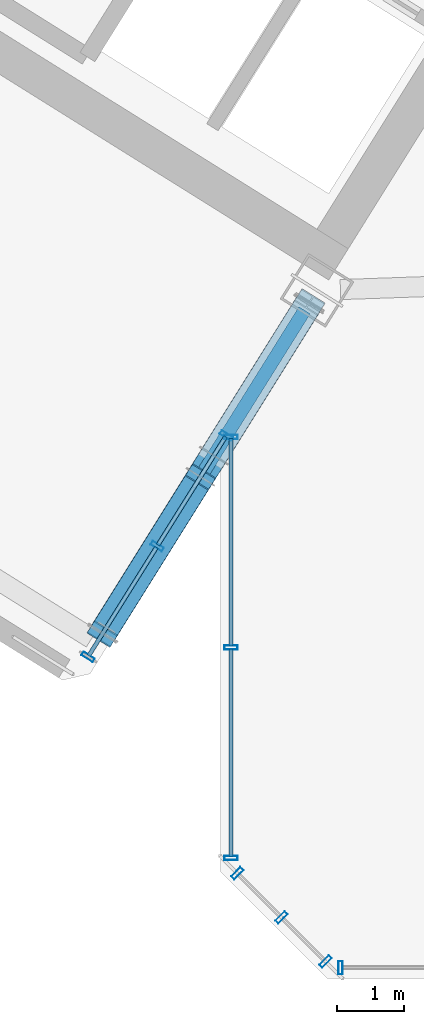
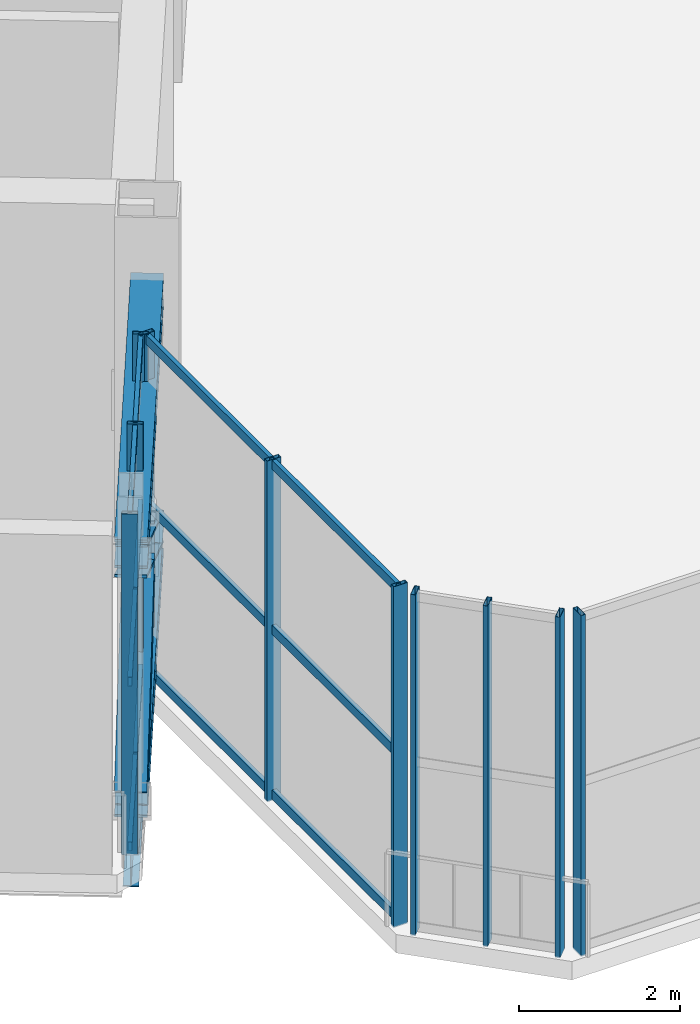
# One storey, part 6 of 30: 26 members, 1 beam, 4 elements without a shape of their own.
"""IFC4 building model written with IfcOpenShell, lengths in metres."""

from ifc_helpers import new_model, si_unit, direction, frame, origin, origin_2d, place, context, subcontext, project, spatial, hollow_rectangle, i_section, extrude, source, transform, mapped, material, material_profile, profile_set, type_object, element, aggregate, save


model = new_model("IFC4")

# Units and contexts
model_context = context("Model", 3, precision=1e-05, world=origin(), true_north=direction((0.0, 1.0)))
body_context = subcontext(model_context, "Body", "Model", "MODEL_VIEW")
ifc_project = project(units=[si_unit("LENGTHUNIT", "METRE"), si_unit("AREAUNIT", "SQUARE_METRE"), si_unit("VOLUMEUNIT", "CUBIC_METRE"), si_unit("PLANEANGLEUNIT", "RADIAN"), si_unit("MASSUNIT", "GRAM", prefix="KILO")], contexts=[model_context])

# Site, building, storey
site_placement = place(None, origin())
site = spatial("IfcSite", under=ifc_project, at=site_placement, CompositionType="ELEMENT")
building_placement = place(site_placement, origin())
building = spatial("IfcBuilding", under=site, at=building_placement, Name="Tlacorven Tower", CompositionType="ELEMENT")
storey_placement = place(building_placement, frame((0.0, 0.0, 169.5)))
storey = spatial("IfcBuildingStorey", under=building, at=storey_placement, Name="L43", CompositionType="ELEMENT", Elevation=169.5)

# Members
ifc_material_1 = material(Name="Steel S460M", Category="steel")
ifc_material_profile_1 = material_profile(ifc_material_1, i_section(OverallWidth=0.406005859375, OverallDepth=0.416015625, WebThickness=0.02099609375, FlangeThickness=0.032958984375, at=origin_2d()), Name="HD 400X382")
ifc_profile_set_1 = profile_set([ifc_material_profile_1], Name="Steel S460M")
member_type_1 = type_object("IfcMemberType", Name="MB-OUT-DIA", PredefinedType="BRACE", material=ifc_profile_set_1)
shared_shape_1 = source(origin(), body_context, "Body", "SweptSolid", [
    extrude(i_section(OverallWidth=0.406005859375, OverallDepth=0.416015625, WebThickness=0.02099609375, FlangeThickness=0.032958984375, at=origin_2d()), origin(), (0.0, 0.0, 1.0), 6.8564453125),
])
member_1_placement = place(storey_placement, frame((32.9375, 11.9130859375, 0.574951171875), z_axis=(-0.452468574589, -0.72408502906, 0.520550727309), x_axis=(0.848042816098, -0.529927713999, 0.0)))
element("IfcMember", 1, at=member_1_placement, inside=storey, type_object=member_type_1, Name="L43 Outrigger Truss Diagonal W1-1", PredefinedType="BRACE", context=body_context, shape_type="MappedRepresentation", body=[
    mapped(shared_shape_1, transform((0.0, 0.0, 0.0), scale=1.0)),
])
shared_shape_2 = source(origin(), body_context, "Body", "SweptSolid", [
    extrude(i_section(OverallWidth=0.406005859375, OverallDepth=0.416015625, WebThickness=0.02099609375, FlangeThickness=0.032958984375, at=origin_2d()), origin(), (0.0, 0.0, 1.0), 3.245849609375),
])
member_2_placement = place(storey_placement, frame((31.303955078125, 9.298583984375, 2.2255859375), z_axis=(-0.45250689492, -0.724041118766, -0.520578493972), x_axis=(0.848008202239, -0.5299831025, 0.0)))
element("IfcMember", 2, at=member_2_placement, inside=storey, type_object=member_type_1, Name="L43 Outrigger Truss Split Diagonal W1-2B", PredefinedType="BRACE", context=body_context, shape_type="MappedRepresentation", body=[
    mapped(shared_shape_2, transform((0.0, 0.0, 0.0), scale=1.0)),
])
ifc_material_profile_2 = material_profile(ifc_material_1, i_section(OverallWidth=0.412109375, OverallDepth=0.43505859375, WebThickness=0.02490234375, FlangeThickness=0.0400390625, at=origin_2d()), Name="HD 400X463")
ifc_profile_set_2 = profile_set([ifc_material_profile_2], Name="Steel S460M")
member_type_2 = type_object("IfcMemberType", Name="MB-OUT-CHD", PredefinedType="CHORD", material=ifc_profile_set_2)
shared_shape_3 = source(origin(), body_context, "Body", "SweptSolid", [
    extrude(i_section(OverallWidth=0.412109375, OverallDepth=0.43505859375, WebThickness=0.02490234375, FlangeThickness=0.0400390625, at=origin_2d()), origin(), (0.0, 0.0, 1.0), 5.794921875),
])
for number, where, z_axis, x_axis, name in (
    (3, (32.9189453125, 11.88330078125, 0.449951171875), (-0.529919410139, -0.848048004984, 0.0), (0.848048004984, -0.529919410139, 0.0), "L43 Outrigger Truss Chord W1-B"),
    (4, (32.9189453125, 11.88330078125, 4.22998046875), (-0.529919410139, -0.848048004984, 0.0), (0.848048004984, -0.529919410139, 0.0), "L43 Outrigger Truss Chord W1-T"),
):
    element("IfcMember", number, at=place(storey_placement, frame(where, z_axis=z_axis, x_axis=x_axis)), inside=storey, type_object=member_type_2, Name=name, PredefinedType="CHORD", context=body_context, shape_type="MappedRepresentation", body=[
        mapped(shared_shape_3, transform((0.0, 0.0, 0.0), scale=1.0)),
    ])

# Beam
ifc_material_2 = material(Name="Steel S355J2", Category="steel")
ifc_material_profile_3 = material_profile(ifc_material_2, i_section(OverallWidth=0.199951171875, OverallDepth=0.5, WebThickness=0.01025390625, FlangeThickness=0.01611328125, at=origin_2d()), Name="IPE 500")
ifc_profile_set_3 = profile_set([ifc_material_profile_3], Name="Steel S355J2")
beam_type = type_object("IfcBeamType", Name="BM-TWR-500", PredefinedType="BEAM", material=ifc_profile_set_3)
shared_shape_4 = source(origin(), body_context, "Body", "SweptSolid", [
    extrude(i_section(OverallWidth=0.199951171875, OverallDepth=0.5, WebThickness=0.01025390625, FlangeThickness=0.01611328125, at=origin_2d()), origin(), (0.0, 0.0, 1.0), 5.749755859375),
])
beam_placement = place(storey_placement, frame((32.860595703125, 11.7900390625, -0.530029296875), z_axis=(-0.529903520428, -0.848057933775, 0.0), x_axis=(0.848057933775, -0.529903520428, 0.0)))
element("IfcBeam", 5, at=beam_placement, inside=storey, type_object=beam_type, Name="L43 beam BM-L43-WT1-2", PredefinedType="BEAM", context=body_context, shape_type="MappedRepresentation", body=[
    mapped(shared_shape_4, transform((0.0, 0.0, 0.0), scale=1.0)),
])

# Curtain wall, members
ifc_material_3 = material(Name="Dark solar low-E double glazing in aluminium frame", Category="aluminium")
curtain_wall_type = type_object("IfcCurtainWallType", Name="CW-TWR-MID", PredefinedType="USERDEFINED", material=ifc_material_3)
curtain_wall_1_placement = place(storey_placement, origin())
curtain_wall_1 = element("IfcCurtainWall", 6, at=curtain_wall_1_placement, inside=storey, type_object=curtain_wall_type, Name="L43 CW-TWR-MID Curtain Wall 199", ObjectType="UNITISED CURTAIN WALL", PredefinedType="USERDEFINED")
ifc_material_4 = material(Name="Aluminium 6063-T6 anodised", Category="aluminium")
ifc_material_profile_4 = material_profile(ifc_material_4, hollow_rectangle(XDim=0.06005859375, YDim=0.139892578125, WallThickness=0.00390625, at=origin_2d()), Name="ALU TRANSOM 60X140")
ifc_profile_set_4 = profile_set([ifc_material_profile_4], Name="Aluminium 6063-T6 anodised")
member_type_3 = type_object("IfcMemberType", Name="CWT-02", PredefinedType="USERDEFINED", material=ifc_profile_set_4)
shared_shape_5 = source(origin(), body_context, "Body", "SweptSolid", [
    extrude(hollow_rectangle(XDim=0.06005859375, YDim=0.139892578125, WallThickness=0.00390625, at=origin_2d()), origin(), (0.0, 0.0, 1.0), 3.107666015625),
])
member_3_placement = place(storey_placement, frame((31.760009765625, 3.619384765625, 0.070068359375), z_axis=(0.0, 1.0, 0.0), x_axis=(-1.0, 0.0, 0.0)))
member_3 = element("IfcMember", 7, at=member_3_placement, type_object=member_type_3, Name="CW-L43-199 Transom 1", ObjectType="TRANSOM", PredefinedType="USERDEFINED", context=body_context, shape_type="MappedRepresentation", body=[
    mapped(shared_shape_5, transform((0.0, 0.0, 0.0), scale=1.0)),
])
member_4_placement = place(storey_placement, frame((31.760009765625, 3.619384765625, 2.574951171875), z_axis=(0.0, 1.0, 0.0), x_axis=(-1.0, 0.0, 0.0)))
member_4 = element("IfcMember", 8, at=member_4_placement, type_object=member_type_3, Name="CW-L43-199 Transom 2", ObjectType="TRANSOM", PredefinedType="USERDEFINED", context=body_context, shape_type="MappedRepresentation", body=[
    mapped(shared_shape_5, transform((0.0, 0.0, 0.0), scale=1.0)),
])
member_5_placement = place(storey_placement, frame((31.760009765625, 3.619384765625, 5.080078125), z_axis=(0.0, 1.0, 0.0), x_axis=(-1.0, 0.0, 0.0)))
member_5 = element("IfcMember", 9, at=member_5_placement, type_object=member_type_3, Name="CW-L43-199 Transom 3", ObjectType="TRANSOM", PredefinedType="USERDEFINED", context=body_context, shape_type="MappedRepresentation", body=[
    mapped(shared_shape_5, transform((0.0, 0.0, 0.0), scale=1.0)),
])
member_6_placement = place(storey_placement, frame((31.760009765625, 6.76806640625, 0.070068359375), z_axis=(0.0, 1.0, 0.0), x_axis=(-1.0, 0.0, 0.0)))
member_6 = element("IfcMember", 10, at=member_6_placement, type_object=member_type_3, Name="CW-L43-199 Transom 4", ObjectType="TRANSOM", PredefinedType="USERDEFINED", context=body_context, shape_type="MappedRepresentation", body=[
    mapped(shared_shape_5, transform((0.0, 0.0, 0.0), scale=1.0)),
])
member_7_placement = place(storey_placement, frame((31.760009765625, 6.76806640625, 2.574951171875), z_axis=(0.0, 1.0, 0.0), x_axis=(-1.0, 0.0, 0.0)))
member_7 = element("IfcMember", 11, at=member_7_placement, type_object=member_type_3, Name="CW-L43-199 Transom 5", ObjectType="TRANSOM", PredefinedType="USERDEFINED", context=body_context, shape_type="MappedRepresentation", body=[
    mapped(shared_shape_5, transform((0.0, 0.0, 0.0), scale=1.0)),
])
member_8_placement = place(storey_placement, frame((31.760009765625, 6.76806640625, 5.080078125), z_axis=(0.0, 1.0, 0.0), x_axis=(-1.0, 0.0, 0.0)))
member_8 = element("IfcMember", 12, at=member_8_placement, type_object=member_type_3, Name="CW-L43-199 Transom 6", ObjectType="TRANSOM", PredefinedType="USERDEFINED", context=body_context, shape_type="MappedRepresentation", body=[
    mapped(shared_shape_5, transform((0.0, 0.0, 0.0), scale=1.0)),
])

curtain_wall_2_placement = place(storey_placement, origin())
curtain_wall_2 = element("IfcCurtainWall", 13, at=curtain_wall_2_placement, inside=storey, type_object=curtain_wall_type, Name="L43 CW-TWR-MID Curtain Wall 200", ObjectType="UNITISED CURTAIN WALL", PredefinedType="USERDEFINED")
shared_shape_6 = source(origin(), body_context, "Body", "SweptSolid", [
    extrude(hollow_rectangle(XDim=0.06005859375, YDim=0.139892578125, WallThickness=0.00390625, at=origin_2d()), origin(), (0.0, 0.0, 1.0), 1.909912109375),
])
member_9_placement = place(storey_placement, frame((31.678955078125, 9.89892578125, 0.070068359375), z_axis=(-0.529975959448, -0.848012666419, 0.0), x_axis=(0.848012666419, -0.529975959448, 0.0)))
member_9 = element("IfcMember", 14, at=member_9_placement, type_object=member_type_3, Name="CW-L43-200 Transom 1", ObjectType="TRANSOM", PredefinedType="USERDEFINED", context=body_context, shape_type="MappedRepresentation", body=[
    mapped(shared_shape_6, transform((0.0, 0.0, 0.0), scale=1.0)),
])
member_10_placement = place(storey_placement, frame((31.678955078125, 9.89892578125, 2.574951171875), z_axis=(-0.529975959448, -0.848012666419, 0.0), x_axis=(0.848012666419, -0.529975959448, 0.0)))
member_10 = element("IfcMember", 15, at=member_10_placement, type_object=member_type_3, Name="CW-L43-200 Transom 2", ObjectType="TRANSOM", PredefinedType="USERDEFINED", context=body_context, shape_type="MappedRepresentation", body=[
    mapped(shared_shape_6, transform((0.0, 0.0, 0.0), scale=1.0)),
])
member_11_placement = place(storey_placement, frame((31.678955078125, 9.89892578125, 5.080078125), z_axis=(-0.529975959448, -0.848012666419, 0.0), x_axis=(0.848012666419, -0.529975959448, 0.0)))
member_11 = element("IfcMember", 16, at=member_11_placement, type_object=member_type_3, Name="CW-L43-200 Transom 3", ObjectType="TRANSOM", PredefinedType="USERDEFINED", context=body_context, shape_type="MappedRepresentation", body=[
    mapped(shared_shape_6, transform((0.0, 0.0, 0.0), scale=1.0)),
])
shared_shape_7 = source(origin(), body_context, "Body", "SweptSolid", [
    extrude(hollow_rectangle(XDim=0.06005859375, YDim=0.139892578125, WallThickness=0.00390625, at=origin_2d()), origin(), (0.0, 0.0, 1.0), 1.90966796875),
])
member_12_placement = place(storey_placement, frame((30.64501953125, 8.244384765625, 0.070068359375), z_axis=(-0.529884025548, -0.848070114713, 0.0), x_axis=(0.848070114713, -0.529884025548, 0.0)))
member_12 = element("IfcMember", 17, at=member_12_placement, type_object=member_type_3, Name="CW-L43-200 Transom 4", ObjectType="TRANSOM", PredefinedType="USERDEFINED", context=body_context, shape_type="MappedRepresentation", body=[
    mapped(shared_shape_7, transform((0.0, 0.0, 0.0), scale=1.0)),
])
member_13_placement = place(storey_placement, frame((30.64501953125, 8.244384765625, 2.574951171875), z_axis=(-0.529884025548, -0.848070114713, 0.0), x_axis=(0.848070114713, -0.529884025548, 0.0)))
member_13 = element("IfcMember", 18, at=member_13_placement, type_object=member_type_3, Name="CW-L43-200 Transom 5", ObjectType="TRANSOM", PredefinedType="USERDEFINED", context=body_context, shape_type="MappedRepresentation", body=[
    mapped(shared_shape_7, transform((0.0, 0.0, 0.0), scale=1.0)),
])
member_14_placement = place(storey_placement, frame((30.64501953125, 8.244384765625, 5.080078125), z_axis=(-0.529884025548, -0.848070114713, 0.0), x_axis=(0.848070114713, -0.529884025548, 0.0)))
member_14 = element("IfcMember", 19, at=member_14_placement, type_object=member_type_3, Name="CW-L43-200 Transom 6", ObjectType="TRANSOM", PredefinedType="USERDEFINED", context=body_context, shape_type="MappedRepresentation", body=[
    mapped(shared_shape_7, transform((0.0, 0.0, 0.0), scale=1.0)),
])

# Curtain wall, member
curtain_wall_3_placement = place(storey_placement, origin())
curtain_wall_3 = element("IfcCurtainWall", 20, at=curtain_wall_3_placement, inside=storey, type_object=curtain_wall_type, Name="L43 CW-TWR-MID Curtain Wall 197", ObjectType="UNITISED CURTAIN WALL", PredefinedType="USERDEFINED")
ifc_material_profile_5 = material_profile(ifc_material_4, hollow_rectangle(XDim=0.06494140625, YDim=0.199951171875, WallThickness=0.00439453125, at=origin_2d()), Name="ALU MULLION 65X200")
ifc_profile_set_5 = profile_set([ifc_material_profile_5], Name="Aluminium 6063-T6 anodised")
member_type_4 = type_object("IfcMemberType", Name="CWM-02", PredefinedType="MULLION", material=ifc_profile_set_5)
shared_shape_8 = source(origin(), body_context, "Body", "SweptSolid", [
    extrude(hollow_rectangle(XDim=0.06494140625, YDim=0.199951171875, WallThickness=0.00439453125, at=origin_2d()), origin(), (0.0, 0.0, 1.0), 5.179931640625),
])
member_15_placement = place(storey_placement, frame((33.398681640625, 1.9599609375, -0.02001953125), z_axis=(0.0, 0.0, 1.0), x_axis=(-1.0, 0.0, 0.0)))
member_15 = element("IfcMember", 21, at=member_15_placement, type_object=member_type_4, Name="CW-L43-197 Mullion 4", PredefinedType="MULLION", context=body_context, shape_type="MappedRepresentation", body=[
    mapped(shared_shape_8, transform((0.0, 0.0, 0.0), scale=1.0)),
])
aggregate(curtain_wall_3, [member_15])

# Curtain wall, members
curtain_wall_4_placement = place(storey_placement, origin())
curtain_wall_4 = element("IfcCurtainWall", 22, at=curtain_wall_4_placement, inside=storey, type_object=curtain_wall_type, Name="L43 CW-TWR-MID Curtain Wall 198", ObjectType="UNITISED CURTAIN WALL", PredefinedType="USERDEFINED")
member_16_placement = place(storey_placement, frame((33.172607421875, 2.0537109375, -0.02001953125), z_axis=(0.0, 0.0, 1.0), x_axis=(-0.707106781187, 0.707106781187, 0.0)))
member_16 = element("IfcMember", 23, at=member_16_placement, type_object=member_type_4, Name="CW-L43-198 Mullion 1", PredefinedType="MULLION", context=body_context, shape_type="MappedRepresentation", body=[
    mapped(shared_shape_8, transform((0.0, 0.0, 0.0), scale=1.0)),
])
member_17_placement = place(storey_placement, frame((32.51318359375, 2.713134765625, -0.02001953125), z_axis=(0.0, 0.0, 1.0), x_axis=(-0.707106781187, 0.707106781187, 0.0)))
member_17 = element("IfcMember", 24, at=member_17_placement, type_object=member_type_4, Name="CW-L43-198 Mullion 2", PredefinedType="MULLION", context=body_context, shape_type="MappedRepresentation", body=[
    mapped(shared_shape_8, transform((0.0, 0.0, 0.0), scale=1.0)),
])
member_18_placement = place(storey_placement, frame((31.853759765625, 3.37255859375, -0.02001953125), z_axis=(0.0, 0.0, 1.0), x_axis=(-0.707106781187, 0.707106781187, 0.0)))
member_18 = element("IfcMember", 25, at=member_18_placement, type_object=member_type_4, Name="CW-L43-198 Mullion 3", PredefinedType="MULLION", context=body_context, shape_type="MappedRepresentation", body=[
    mapped(shared_shape_8, transform((0.0, 0.0, 0.0), scale=1.0)),
])
aggregate(curtain_wall_4, [member_16, member_17, member_18])

# Member
member_19_placement = place(storey_placement, frame((31.760009765625, 3.598876953125, -0.02001953125), z_axis=(0.0, 0.0, 1.0), x_axis=(0.0, 1.0, 0.0)))
member_19 = element("IfcMember", 26, at=member_19_placement, type_object=member_type_4, Name="CW-L43-199 Mullion 1", PredefinedType="MULLION", context=body_context, shape_type="MappedRepresentation", body=[
    mapped(shared_shape_8, transform((0.0, 0.0, 0.0), scale=1.0)),
])

member_20_placement = place(storey_placement, frame((31.760009765625, 6.74755859375, -0.02001953125), z_axis=(0.0, 0.0, 1.0), x_axis=(0.0, 1.0, 0.0)))
member_20 = element("IfcMember", 27, at=member_20_placement, type_object=member_type_4, Name="CW-L43-199 Mullion 2", PredefinedType="MULLION", context=body_context, shape_type="MappedRepresentation", body=[
    mapped(shared_shape_8, transform((0.0, 0.0, 0.0), scale=1.0)),
])

member_21_placement = place(storey_placement, frame((31.760009765625, 9.896240234375, -0.02001953125), z_axis=(0.0, 0.0, 1.0), x_axis=(0.0, 1.0, 0.0)))
member_21 = element("IfcMember", 28, at=member_21_placement, type_object=member_type_4, Name="CW-L43-199 Mullion 3", PredefinedType="MULLION", context=body_context, shape_type="MappedRepresentation", body=[
    mapped(shared_shape_8, transform((0.0, 0.0, 0.0), scale=1.0)),
])

aggregate(curtain_wall_1, [member_19, member_20, member_21, member_3, member_4, member_5, member_6, member_7, member_8])

member_22_placement = place(storey_placement, frame((31.689697265625, 9.916259765625, -0.02001953125), z_axis=(0.0, 0.0, 1.0), x_axis=(-0.529918710919, -0.848048441905, 0.0)))
member_22 = element("IfcMember", 29, at=member_22_placement, type_object=member_type_4, Name="CW-L43-200 Mullion 1", PredefinedType="MULLION", context=body_context, shape_type="MappedRepresentation", body=[
    mapped(shared_shape_8, transform((0.0, 0.0, 0.0), scale=1.0)),
])

member_23_placement = place(storey_placement, frame((30.656005859375, 8.261962890625, -0.02001953125), z_axis=(0.0, 0.0, 1.0), x_axis=(-0.529918710919, -0.848048441905, 0.0)))
member_23 = element("IfcMember", 30, at=member_23_placement, type_object=member_type_4, Name="CW-L43-200 Mullion 2", PredefinedType="MULLION", context=body_context, shape_type="MappedRepresentation", body=[
    mapped(shared_shape_8, transform((0.0, 0.0, 0.0), scale=1.0)),
])

member_24_placement = place(storey_placement, frame((29.622314453125, 6.607421875, -0.02001953125), z_axis=(0.0, 0.0, 1.0), x_axis=(-0.529918710919, -0.848048441905, 0.0)))
member_24 = element("IfcMember", 31, at=member_24_placement, type_object=member_type_4, Name="CW-L43-200 Mullion 3", PredefinedType="MULLION", context=body_context, shape_type="MappedRepresentation", body=[
    mapped(shared_shape_8, transform((0.0, 0.0, 0.0), scale=1.0)),
])

aggregate(curtain_wall_2, [member_22, member_23, member_24, member_9, member_10, member_11, member_12, member_13, member_14])

save(model, "model.ifc")
